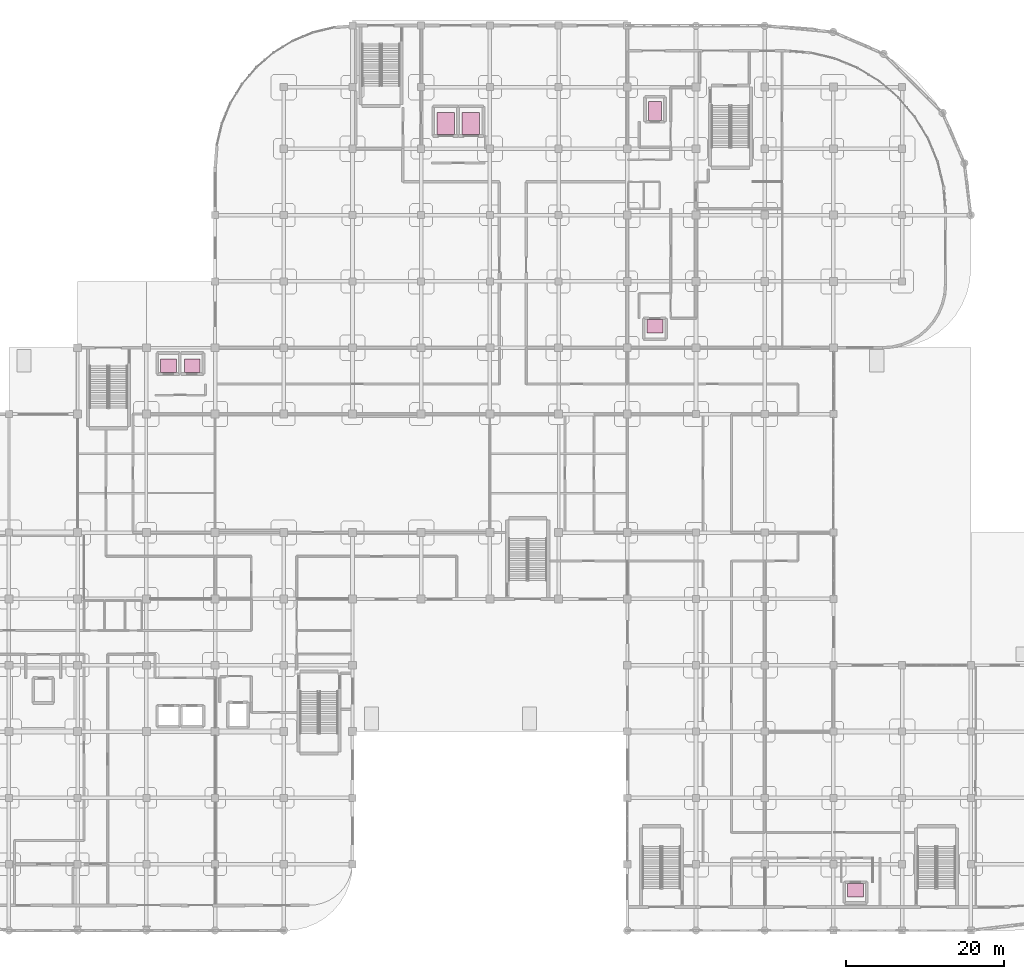
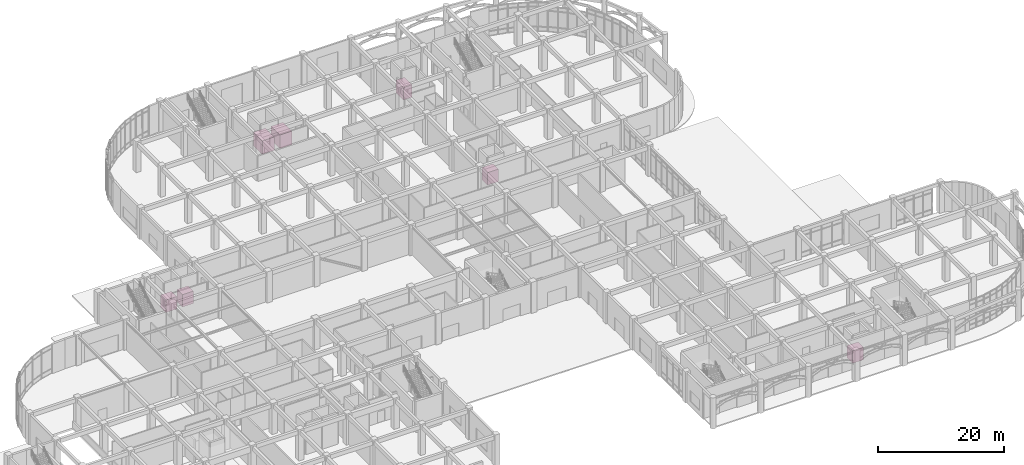
# One storey, part 82 of 82: 7 transport elements.
"""IFC4 building model written with IfcOpenShell, lengths in metres."""

from ifc_helpers import new_model, si_unit, derived_unit, direction, frame, origin, origin_2d, place, context, subcontext, project, spatial, rectangle, extrude, material, type_object, element, save


model = new_model("IFC4")

# Units and contexts
model_context = context("Model", 3, precision=1e-05, world=origin(), true_north=direction((0.0, 1.0)))
body_context = subcontext(model_context, "Body", "Model", "MODEL_VIEW")
ifc_project = project(units=[si_unit("LENGTHUNIT", "METRE"), si_unit("AREAUNIT", "SQUARE_METRE"), si_unit("VOLUMEUNIT", "CUBIC_METRE"), si_unit("PLANEANGLEUNIT", "RADIAN"), si_unit("MASSUNIT", "GRAM", prefix="KILO"), derived_unit("THERMALTRANSMITTANCEUNIT", [(si_unit("MASSUNIT", "GRAM", prefix="KILO"), 1), (si_unit("TIMEUNIT", "SECOND"), -3), (si_unit("THERMODYNAMICTEMPERATUREUNIT", "KELVIN"), -1)])], contexts=[model_context])

# Site, building, storey
site_placement = place(None, origin())
site = spatial("IfcSite", under=ifc_project, at=site_placement, CompositionType="ELEMENT")
building_placement = place(site_placement, origin())
building = spatial("IfcBuilding", under=site, at=building_placement, Name="Qinzheling Arcade Emporium", CompositionType="ELEMENT")
storey_placement = place(building_placement, origin())
storey = spatial("IfcBuildingStorey", under=building, at=storey_placement, Name="L01", CompositionType="ELEMENT", Elevation=0.0)

# Transport elements
ifc_material_1 = material(Name="Architectural bronze and mirror stainless lift car")
transport_element_type_1 = type_object("IfcTransportElementType", Name="Customer Passenger Lift 1600kg", PredefinedType="ELEVATOR", material=ifc_material_1)
for number, where, z_axis, x_axis, name in (
    (1, (46.300048828125, 71.5, 0.0), (0.0, 0.0, 1.0), (1.0, 0.0, 0.0), "Elevator Lift Car LP03"),
    (2, (49.300048828125, 71.5, 0.0), (0.0, 0.0, 1.0), (1.0, 0.0, 0.0), "Elevator Lift Car LP04"),
    (3, (133.300048828125, 5.10009765625, 0.0), (0.0, 0.0, 1.0), (1.0, 0.0, 0.0), "Elevator Lift Car LP05"),
    (4, (107.89990234375, 76.5, 0.0), (0.0, 0.0, 1.0), (1.0, 0.0, 0.0), "Elevator Lift Car LP06"),
):
    element("IfcTransportElement", number, at=place(storey_placement, frame(where, z_axis=z_axis, x_axis=x_axis)), inside=storey, type_object=transport_element_type_1, Name=name, PredefinedType="ELEVATOR", context=body_context, shape_type="SweptSolid", body=[
        extrude(rectangle(XDim=2.0, YDim=1.699951171875, at=origin_2d()), origin(), (0.0, 0.0, 1.0), 2.39990234375),
    ])
ifc_material_2 = material(Name="Fire-rated stainless steel lift car", Category="steel")
transport_element_type_2 = type_object("IfcTransportElementType", Name="Firefighting Passenger Lift 1350kg", PredefinedType="ELEVATOR", material=ifc_material_2)
transport_element_placement = place(storey_placement, frame((107.89990234375, 103.800048828125, 0.0), z_axis=(0.0, 0.0, 1.0), x_axis=(1.0, 0.0, 0.0)))
element("IfcTransportElement", 5, at=transport_element_placement, inside=storey, type_object=transport_element_type_2, Name="Elevator Lift Car LF03", PredefinedType="ELEVATOR", context=body_context, shape_type="SweptSolid", body=[
    extrude(rectangle(XDim=1.60009765625, YDim=2.39990234375, at=origin_2d()), origin(), (0.0, 0.0, 1.0), 2.39990234375),
])
ifc_material_3 = material(Name="Heavy-duty chequer-plate steel freight lift car", Category="steel")
transport_element_type_3 = type_object("IfcTransportElementType", Name="Heavy Goods Freight Lift 3000kg", PredefinedType="ELEVATOR", material=ifc_material_3)
for number, where, z_axis, x_axis, name in (
    (6, (81.39990234375, 102.199951171875, 0.0), (0.0, 0.0, 1.0), (1.0, 0.0, 0.0), "Elevator Lift Car LG01"),
    (7, (84.60009765625, 102.199951171875, 0.0), (0.0, 0.0, 1.0), (1.0, 0.0, 0.0), "Elevator Lift Car LG02"),
):
    element("IfcTransportElement", number, at=place(storey_placement, frame(where, z_axis=z_axis, x_axis=x_axis)), inside=storey, type_object=transport_element_type_3, Name=name, PredefinedType="ELEVATOR", context=body_context, shape_type="SweptSolid", body=[
        extrude(rectangle(XDim=2.199951171875, YDim=2.800048828125, at=origin_2d()), origin(), (0.0, 0.0, 1.0), 2.60009765625),
    ])

save(model, "model.ifc")
